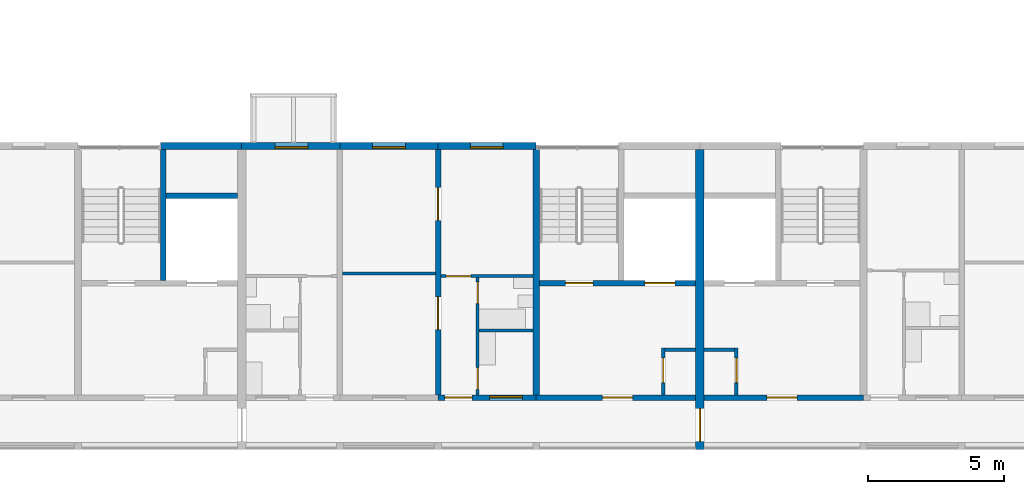
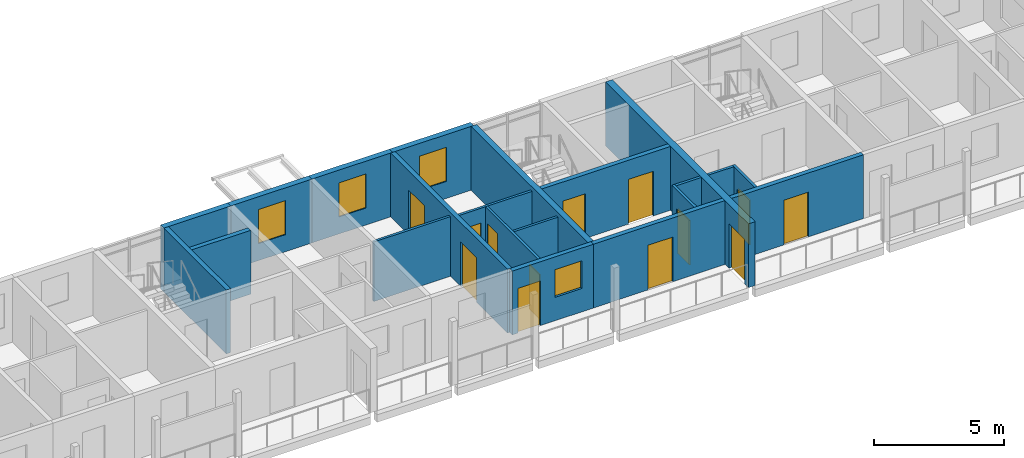
# One storey, part 43 of 87: 21 walls, 13 doors, 4 windows, 17 openings.
"""IFC4 building model written with IfcOpenShell, lengths in metres."""

from ifc_helpers import new_model, si_unit, direction, frame, frame_2d, origin, place, context, subcontext, project, spatial, rectangle, extrude, material, layer, layer_set, type_object, element, fill, save


model = new_model("IFC4")

# Units and contexts
model_context = context("Model", 3, precision=1e-05, world=origin(), true_north=direction((0.0, 1.0)))
body_context = subcontext(model_context, "Body", "Model", "MODEL_VIEW")
ifc_project = project(units=[si_unit("LENGTHUNIT", "METRE"), si_unit("AREAUNIT", "SQUARE_METRE"), si_unit("VOLUMEUNIT", "CUBIC_METRE"), si_unit("PLANEANGLEUNIT", "RADIAN"), si_unit("MASSUNIT", "GRAM", prefix="KILO")], contexts=[model_context])

# Site, building, storey
site_placement = place(None, origin())
site = spatial("IfcSite", under=ifc_project, at=site_placement, CompositionType="ELEMENT")
building_placement = place(site_placement, origin())
building = spatial("IfcBuilding", under=site, at=building_placement, Name="Ridgestep Commons", CompositionType="ELEMENT")
storey_placement = place(building_placement, frame((0.0, 0.0, 27.0)))
storey = spatial("IfcBuildingStorey", under=building, at=storey_placement, Name="L09", CompositionType="ELEMENT", Elevation=27.0)

# Wall
ifc_material_1 = material(Name="Concrete C30/37", Category="concrete")
ifc_layer_1 = layer(ifc_material_1, 0.25)
ifc_layer_set_1 = layer_set([ifc_layer_1], Name="Core cross wall 250")
wall_type_1 = type_object("IfcWallType", Name="Core cross wall 250", PredefinedType="SHEAR", material=ifc_layer_set_1)
wall_1_placement = place(storey_placement, frame((90.0, 13.75, 0.0), z_axis=(0.0, 0.0, 1.0), x_axis=(0.0, 1.0, 0.0)))
element("IfcWall", 1, at=wall_1_placement, inside=storey, type_object=wall_type_1, Name="Cross wall A-09-0900", PredefinedType="SHEAR", context=body_context, shape_type="SweptSolid", body=[
    extrude(rectangle(XDim=9.0, YDim=0.25, at=frame_2d((4.5, 0.0))), origin(), (0.0, 0.0, 1.0), 3.0),
])

# Wall, opening, door
ifc_material_2 = material(Name="Concrete C30/37", Category="concrete")
ifc_layer_2 = layer(ifc_material_2, 0.199951171875)
ifc_layer_set_2 = layer_set([ifc_layer_2], Name="Core south wall 200")
wall_type_2 = type_object("IfcWallType", Name="Core south wall 200", PredefinedType="SHEAR", material=ifc_layer_set_2)
wall_2_placement = place(storey_placement, frame((90.0, 13.64990234375, 0.0), z_axis=(0.0, 0.0, 1.0), x_axis=(1.0, 0.0, 0.0)))
wall_2 = element("IfcWall", 2, at=wall_2_placement, inside=storey, type_object=wall_type_2, Name="Core south wall A5C L09", PredefinedType="SHEAR", context=body_context, shape_type="SweptSolid", body=[
    extrude(rectangle(XDim=5.85009765625, YDim=0.199951171875, at=frame_2d((2.925048828125, 0.0))), origin(), (0.0, 0.0, 1.0), 3.0),
])
opening_1_placement = place(wall_2_placement, frame((2.4375, 0.0, 0.0)))
opening_1 = element("IfcOpeningElement", 3, at=opening_1_placement, cuts=wall_2, Name="Opening A5C/09/1", PredefinedType="OPENING", context=body_context, shape_type="SweptSolid", body=[
    extrude(rectangle(XDim=1.10009765625, YDim=2.10009765625, at=frame_2d((0.550048828125, 1.050048828125))), frame((0.0, 0.10986328125, 0.0), z_axis=(0.0, -1.0, 0.0), x_axis=(1.0, 0.0, 0.0)), (0.0, 0.0, 1.0), 0.219970703125),
])
ifc_material_3 = material(Name="Steel fire door", Category="steel")
door_type_1 = type_object("IfcDoorType", Name="Lobby door 1100 x 2100 FD60", OperationType="NOTDEFINED", PredefinedType="DOOR", material=ifc_material_3)
door_1_placement = place(opening_1_placement, origin())
door_1 = element("IfcDoor", 4, at=door_1_placement, inside=storey, type_object=door_type_1, Name="Lobby door A5C/09/1", OperationType="SINGLE_SWING_LEFT", OverallHeight=2.10009765625, OverallWidth=1.10009765625, PredefinedType="DOOR", context=body_context, shape_type="SweptSolid", body=[
    extrude(rectangle(XDim=1.10009765625, YDim=2.10009765625, at=frame_2d((0.550048828125, 1.050048828125))), frame((0.0, 0.02490234375, 0.0), z_axis=(0.0, -1.0, 0.0), x_axis=(1.0, 0.0, 0.0)), (0.0, 0.0, 1.0), 0.050048828125),
])
fill(opening_1, door_1)

wall_3_placement = place(storey_placement, frame((96.14990234375, 13.64990234375, 0.0), z_axis=(0.0, 0.0, 1.0), x_axis=(1.0, 0.0, 0.0)))
wall_3 = element("IfcWall", 5, at=wall_3_placement, inside=storey, type_object=wall_type_2, Name="Core south wall A6C L09", PredefinedType="SHEAR", context=body_context, shape_type="SweptSolid", body=[
    extrude(rectangle(XDim=5.85009765625, YDim=0.199951171875, at=frame_2d((2.925048828125, 0.0))), origin(), (0.0, 0.0, 1.0), 3.0),
])
opening_2_placement = place(wall_3_placement, frame((2.3125, 0.0, 0.0)))
opening_2 = element("IfcOpeningElement", 6, at=opening_2_placement, cuts=wall_3, Name="Opening A6C/09/1", PredefinedType="OPENING", context=body_context, shape_type="SweptSolid", body=[
    extrude(rectangle(XDim=1.10009765625, YDim=2.10009765625, at=frame_2d((0.550048828125, 1.050048828125))), frame((0.0, 0.10986328125, 0.0), z_axis=(0.0, -1.0, 0.0), x_axis=(1.0, 0.0, 0.0)), (0.0, 0.0, 1.0), 0.219970703125),
])
door_2_placement = place(opening_2_placement, origin())
door_2 = element("IfcDoor", 7, at=door_2_placement, inside=storey, type_object=door_type_1, Name="Lobby door A6C/09/1", OperationType="SINGLE_SWING_LEFT", OverallHeight=2.10009765625, OverallWidth=1.10009765625, PredefinedType="DOOR", context=body_context, shape_type="SweptSolid", body=[
    extrude(rectangle(XDim=1.10009765625, YDim=2.10009765625, at=frame_2d((0.550048828125, 1.050048828125))), frame((0.0, 0.02490234375, 0.0), z_axis=(0.0, -1.0, 0.0), x_axis=(1.0, 0.0, 0.0)), (0.0, 0.0, 1.0), 0.050048828125),
])
fill(opening_2, door_2)

ifc_material_4 = material(Name="Concrete C30/37", Category="concrete")
ifc_layer_3 = layer(ifc_material_4, 0.1201171875)
ifc_layer_set_3 = layer_set([ifc_layer_3], Name="Core wall 120")
wall_type_3 = type_object("IfcWallType", Name="Core wall 120", PredefinedType="SHEAR", material=ifc_layer_set_3)
wall_4_placement = place(storey_placement, frame((94.659912109375, 13.75, 0.0), z_axis=(0.0, 0.0, 1.0), x_axis=(0.0, 1.0, 0.0)))
wall_4 = element("IfcWall", 8, at=wall_4_placement, inside=storey, type_object=wall_type_3, Name="Core riser w wall A5C L09", PredefinedType="SHEAR", context=body_context, shape_type="SweptSolid", body=[
    extrude(rectangle(XDim=1.719970703125, YDim=0.1201171875, at=frame_2d((0.85986328125, 0.0))), origin(), (0.0, 0.0, 1.0), 3.0),
])
opening_3_placement = place(wall_4_placement, frame((0.449951171875, 0.0, 0.0)))
opening_3 = element("IfcOpeningElement", 9, at=opening_3_placement, cuts=wall_4, Name="Opening A5C/09/4", PredefinedType="OPENING", context=body_context, shape_type="SweptSolid", body=[
    extrude(rectangle(XDim=0.89990234375, YDim=2.10009765625, at=frame_2d((0.449951171875, 1.050048828125))), frame((0.0, 0.070068359375, 0.0), z_axis=(0.0, -1.0, 0.0), x_axis=(1.0, 0.0, 0.0)), (0.0, 0.0, 1.0), 0.14013671875),
])
ifc_material_5 = material(Name="Steel fire door", Category="steel")
door_type_2 = type_object("IfcDoorType", Name="Riser door 900 x 2100 FD60", OperationType="NOTDEFINED", PredefinedType="DOOR", material=ifc_material_5)
door_3_placement = place(opening_3_placement, origin())
door_3 = element("IfcDoor", 10, at=door_3_placement, inside=storey, type_object=door_type_2, Name="Riser door A5C/09/4", OperationType="SINGLE_SWING_LEFT", OverallHeight=2.10009765625, OverallWidth=0.89990234375, PredefinedType="DOOR", context=body_context, shape_type="SweptSolid", body=[
    extrude(rectangle(XDim=0.89990234375, YDim=2.10009765625, at=frame_2d((0.449951171875, 1.050048828125))), frame((0.0, 0.02490234375, 0.0), z_axis=(0.0, -1.0, 0.0), x_axis=(1.0, 0.0, 0.0)), (0.0, 0.0, 1.0), 0.050048828125),
])
fill(opening_3, door_3)

# Wall
wall_5_placement = place(storey_placement, frame((94.719970703125, 15.409912109375, 0.0), z_axis=(0.0, 0.0, 1.0), x_axis=(1.0, 0.0, 0.0)))
element("IfcWall", 11, at=wall_5_placement, inside=storey, type_object=wall_type_3, Name="Core riser n wall A5C L09", PredefinedType="SHEAR", context=body_context, shape_type="SweptSolid", body=[
    extrude(rectangle(XDim=1.130126953125, YDim=0.1201171875, at=frame_2d((0.56494140625, 0.0))), origin(), (0.0, 0.0, 1.0), 3.0),
])

# Wall, opening, door
wall_6_placement = place(storey_placement, frame((97.340087890625, 13.75, 0.0), z_axis=(0.0, 0.0, 1.0), x_axis=(0.0, 1.0, 0.0)))
wall_6 = element("IfcWall", 12, at=wall_6_placement, inside=storey, type_object=wall_type_3, Name="Core riser w wall A6C L09", PredefinedType="SHEAR", context=body_context, shape_type="SweptSolid", body=[
    extrude(rectangle(XDim=1.719970703125, YDim=0.1201171875, at=frame_2d((0.85986328125, 0.0))), origin(), (0.0, 0.0, 1.0), 3.0),
])
opening_4_placement = place(wall_6_placement, frame((0.449951171875, 0.0, 0.0)))
opening_4 = element("IfcOpeningElement", 13, at=opening_4_placement, cuts=wall_6, Name="Opening A6C/09/4", PredefinedType="OPENING", context=body_context, shape_type="SweptSolid", body=[
    extrude(rectangle(XDim=0.89990234375, YDim=2.10009765625, at=frame_2d((0.449951171875, 1.050048828125))), frame((0.0, 0.070068359375, 0.0), z_axis=(0.0, -1.0, 0.0), x_axis=(1.0, 0.0, 0.0)), (0.0, 0.0, 1.0), 0.14013671875),
])
door_4_placement = place(opening_4_placement, origin())
door_4 = element("IfcDoor", 14, at=door_4_placement, inside=storey, type_object=door_type_2, Name="Riser door A6C/09/4", OperationType="SINGLE_SWING_RIGHT", OverallHeight=2.10009765625, OverallWidth=0.89990234375, PredefinedType="DOOR", context=body_context, shape_type="SweptSolid", body=[
    extrude(rectangle(XDim=0.89990234375, YDim=2.10009765625, at=frame_2d((0.449951171875, 1.050048828125))), frame((0.0, 0.02490234375, 0.0), z_axis=(0.0, -1.0, 0.0), x_axis=(1.0, 0.0, 0.0)), (0.0, 0.0, 1.0), 0.050048828125),
])
fill(opening_4, door_4)

# Walls
wall_7_placement = place(storey_placement, frame((96.14990234375, 15.409912109375, 0.0), z_axis=(0.0, 0.0, 1.0), x_axis=(1.0, 0.0, 0.0)))
element("IfcWall", 15, at=wall_7_placement, inside=storey, type_object=wall_type_3, Name="Core riser n wall A6C L09", PredefinedType="SHEAR", context=body_context, shape_type="SweptSolid", body=[
    extrude(rectangle(XDim=1.130126953125, YDim=0.1201171875, at=frame_2d((0.56494140625, 0.0))), origin(), (0.0, 0.0, 1.0), 3.0),
])
ifc_material_6 = material(Name="Concrete C30/37", Category="concrete")
ifc_layer_4 = layer(ifc_material_6, 0.199951171875)
ifc_layer_set_4 = layer_set([ifc_layer_4], Name="Core wall 200")
wall_type_4 = type_object("IfcWallType", Name="Core wall 200", PredefinedType="SHEAR", material=ifc_layer_set_4)
wall_8_placement = place(storey_placement, frame((76.324951171875, 17.949951171875, 0.0), z_axis=(0.0, 0.0, 1.0), x_axis=(0.0, 1.0, 0.0)))
element("IfcWall", 16, at=wall_8_placement, inside=storey, type_object=wall_type_4, Name="Core stair wall A4C L09", PredefinedType="SHEAR", context=body_context, shape_type="SweptSolid", body=[
    extrude(rectangle(XDim=4.800048828125, YDim=0.199951171875, at=frame_2d((2.39990234375, 0.0))), origin(), (0.0, 0.0, 1.0), 3.0),
])
wall_9_placement = place(storey_placement, frame((76.425048828125, 21.050048828125, 0.0), z_axis=(0.0, 0.0, 1.0), x_axis=(1.0, 0.0, 0.0)))
element("IfcWall", 17, at=wall_9_placement, inside=storey, type_object=wall_type_4, Name="Core duct wall A4C L09", PredefinedType="SHEAR", context=body_context, shape_type="SweptSolid", body=[
    extrude(rectangle(XDim=2.625, YDim=0.199951171875, at=frame_2d((1.3125, 0.0))), origin(), (0.0, 0.0, 1.0), 3.0),
])

# Wall, openings, doors
wall_10_placement = place(storey_placement, frame((90.125, 17.85009765625, 0.0), z_axis=(0.0, 0.0, 1.0), x_axis=(1.0, 0.0, 0.0)))
wall_10 = element("IfcWall", 18, at=wall_10_placement, inside=storey, type_object=wall_type_4, Name="Core lobby wall A5C L09", PredefinedType="SHEAR", context=body_context, shape_type="SweptSolid", body=[
    extrude(rectangle(XDim=5.72509765625, YDim=0.199951171875, at=frame_2d((2.862548828125, 0.0))), origin(), (0.0, 0.0, 1.0), 3.0),
])
opening_5_placement = place(wall_10_placement, frame((0.949951171875, 0.0, 0.0)))
opening_5 = element("IfcOpeningElement", 19, at=opening_5_placement, cuts=wall_10, Name="Opening A5C/09/2", PredefinedType="OPENING", context=body_context, shape_type="SweptSolid", body=[
    extrude(rectangle(XDim=1.0, YDim=2.10009765625, at=frame_2d((0.5, 1.050048828125))), frame((0.0, 0.10986328125, 0.0), z_axis=(0.0, -1.0, 0.0), x_axis=(1.0, 0.0, 0.0)), (0.0, 0.0, 1.0), 0.219970703125),
])
opening_6_placement = place(wall_10_placement, frame((3.862548828125, 0.0, 0.0)))
opening_6 = element("IfcOpeningElement", 20, at=opening_6_placement, cuts=wall_10, Name="Opening A5C/09/3", PredefinedType="OPENING", context=body_context, shape_type="SweptSolid", body=[
    extrude(rectangle(XDim=1.10009765625, YDim=2.10009765625, at=frame_2d((0.550048828125, 1.050048828125))), frame((0.0, 0.10986328125, 0.0), z_axis=(0.0, -1.0, 0.0), x_axis=(1.0, 0.0, 0.0)), (0.0, 0.0, 1.0), 0.219970703125),
])
ifc_material_7 = material(Name="Stainless steel", Category="steel")
door_type_3 = type_object("IfcDoorType", Name="Lift landing door 1100 x 2100 FD60", OperationType="DOUBLE_DOOR_SLIDING", PredefinedType="DOOR", material=ifc_material_7)
door_5_placement = place(opening_6_placement, origin())
door_5 = element("IfcDoor", 21, at=door_5_placement, inside=storey, type_object=door_type_3, Name="Landing door LD A5C L09", OperationType="DOUBLE_DOOR_SLIDING", OverallHeight=2.10009765625, OverallWidth=1.10009765625, PredefinedType="DOOR", context=body_context, shape_type="SweptSolid", body=[
    extrude(rectangle(XDim=1.10009765625, YDim=2.10009765625, at=frame_2d((0.550048828125, 1.050048828125))), frame((0.0, 0.02490234375, 0.0), z_axis=(0.0, -1.0, 0.0), x_axis=(1.0, 0.0, 0.0)), (0.0, 0.0, 1.0), 0.050048828125),
])
fill(opening_6, door_5)
ifc_material_8 = material(Name="Steel fire door", Category="steel")
door_type_4 = type_object("IfcDoorType", Name="Stair door 1000 x 2100 FD60", OperationType="NOTDEFINED", PredefinedType="DOOR", material=ifc_material_8)
door_6_placement = place(opening_5_placement, origin())
door_6 = element("IfcDoor", 22, at=door_6_placement, inside=storey, type_object=door_type_4, Name="Stair door A5C/09/2", OperationType="SINGLE_SWING_RIGHT", OverallHeight=2.10009765625, OverallWidth=1.0, PredefinedType="DOOR", context=body_context, shape_type="SweptSolid", body=[
    extrude(rectangle(XDim=1.0, YDim=2.10009765625, at=frame_2d((0.5, 1.050048828125))), frame((0.0, 0.02490234375, 0.0), z_axis=(0.0, -1.0, 0.0), x_axis=(1.0, 0.0, 0.0)), (0.0, 0.0, 1.0), 0.050048828125),
])
fill(opening_5, door_6)

ifc_material_9 = material(Name="Precast concrete C40/50", Category="concrete")
ifc_layer_5 = layer(ifc_material_9, 0.199951171875)
ifc_layer_set_5 = layer_set([ifc_layer_5], Name="Cross wall 200")
wall_type_5 = type_object("IfcWallType", Name="Cross wall 200", PredefinedType="SHEAR", material=ifc_layer_set_5)
wall_11_placement = place(storey_placement, frame((86.39990234375, 13.75, 0.0), z_axis=(0.0, 0.0, 1.0), x_axis=(0.0, 1.0, 0.0)))
wall_11 = element("IfcWall", 23, at=wall_11_placement, inside=storey, type_object=wall_type_5, Name="Cross wall A-09-0864", PredefinedType="SHEAR", context=body_context, shape_type="SweptSolid", body=[
    extrude(rectangle(XDim=9.0, YDim=0.199951171875, at=frame_2d((4.5, 0.0))), origin(), (0.0, 0.0, 1.0), 3.0),
])
opening_7_placement = place(wall_11_placement, frame((2.39990234375, 0.0, 0.0)))
opening_7 = element("IfcOpeningElement", 24, at=opening_7_placement, cuts=wall_11, Name="Opening A5-09b/5", PredefinedType="OPENING", context=body_context, shape_type="SweptSolid", body=[
    extrude(rectangle(XDim=1.199951171875, YDim=2.10009765625, at=frame_2d((0.60009765625, 1.050048828125))), frame((0.0, 0.10986328125, 0.0), z_axis=(0.0, -1.0, 0.0), x_axis=(1.0, 0.0, 0.0)), (0.0, 0.0, 1.0), 0.219970703125),
])
opening_8_placement = place(wall_11_placement, frame((6.39990234375, 0.0, 0.0)))
opening_8 = element("IfcOpeningElement", 25, at=opening_8_placement, cuts=wall_11, Name="Opening A5-09b/6", PredefinedType="OPENING", context=body_context, shape_type="SweptSolid", body=[
    extrude(rectangle(XDim=1.199951171875, YDim=2.10009765625, at=frame_2d((0.60009765625, 1.050048828125))), frame((0.0, 0.10986328125, 0.0), z_axis=(0.0, -1.0, 0.0), x_axis=(1.0, 0.0, 0.0)), (0.0, 0.0, 1.0), 0.219970703125),
])
ifc_material_10 = material(Name="Timber door leaf", Category="wood")
door_type_5 = type_object("IfcDoorType", Name="Double door 1200 x 2100", OperationType="DOUBLE_DOOR_SINGLE_SWING", PredefinedType="DOOR", material=ifc_material_10)
door_7_placement = place(opening_7_placement, origin())
door_7 = element("IfcDoor", 26, at=door_7_placement, inside=storey, type_object=door_type_5, Name="Double door A5-09b/5", OperationType="DOUBLE_DOOR_SINGLE_SWING", OverallHeight=2.10009765625, OverallWidth=1.199951171875, PredefinedType="DOOR", context=body_context, shape_type="SweptSolid", body=[
    extrude(rectangle(XDim=1.199951171875, YDim=2.10009765625, at=frame_2d((0.60009765625, 1.050048828125))), frame((0.0, 0.02490234375, 0.0), z_axis=(0.0, -1.0, 0.0), x_axis=(1.0, 0.0, 0.0)), (0.0, 0.0, 1.0), 0.050048828125),
])
fill(opening_7, door_7)
door_8_placement = place(opening_8_placement, origin())
door_8 = element("IfcDoor", 27, at=door_8_placement, inside=storey, type_object=door_type_5, Name="Double door A5-09b/6", OperationType="DOUBLE_DOOR_SINGLE_SWING", OverallHeight=2.10009765625, OverallWidth=1.199951171875, PredefinedType="DOOR", context=body_context, shape_type="SweptSolid", body=[
    extrude(rectangle(XDim=1.199951171875, YDim=2.10009765625, at=frame_2d((0.60009765625, 1.050048828125))), frame((0.0, 0.02490234375, 0.0), z_axis=(0.0, -1.0, 0.0), x_axis=(1.0, 0.0, 0.0)), (0.0, 0.0, 1.0), 0.050048828125),
])
fill(opening_8, door_8)

# Wall, opening, door
ifc_material_11 = material(Name="Precast concrete C40/50", Category="concrete")
ifc_layer_6 = layer(ifc_material_11, 0.300048828125)
ifc_layer_set_6 = layer_set([ifc_layer_6], Name="Division wall 300")
wall_type_6 = type_object("IfcWallType", Name="Division wall 300", PredefinedType="SHEAR", material=ifc_layer_set_6)
wall_12_placement = place(storey_placement, frame((96.0, 11.75, 0.0), z_axis=(0.0, 0.0, 1.0), x_axis=(0.0, 1.0, 0.0)))
wall_12 = element("IfcWall", 28, at=wall_12_placement, inside=storey, type_object=wall_type_6, Name="Cross wall A-09-0960", PredefinedType="SHEAR", context=body_context, shape_type="SweptSolid", body=[
    extrude(rectangle(XDim=11.0, YDim=0.300048828125, at=frame_2d((5.5, 0.0))), origin(), (0.0, 0.0, 1.0), 3.0),
])
opening_9_placement = place(wall_12_placement, frame((0.300048828125, 0.0, 0.0)))
opening_9 = element("IfcOpeningElement", 29, at=opening_9_placement, cuts=wall_12, Name="Opening A/09/G0960", PredefinedType="OPENING", context=body_context, shape_type="SweptSolid", body=[
    extrude(rectangle(XDim=1.199951171875, YDim=2.10009765625, at=frame_2d((0.60009765625, 1.050048828125))), frame((0.0, 0.159912109375, 0.0), z_axis=(0.0, -1.0, 0.0), x_axis=(1.0, 0.0, 0.0)), (0.0, 0.0, 1.0), 0.320068359375),
])
ifc_material_12 = material(Name="Steel fire door", Category="steel")
door_type_6 = type_object("IfcDoorType", Name="Division fire door 1200 x 2100 EI 240", OperationType="DOUBLE_DOOR_SINGLE_SWING", PredefinedType="DOOR", material=ifc_material_12)
door_9_placement = place(opening_9_placement, origin())
door_9 = element("IfcDoor", 30, at=door_9_placement, inside=storey, type_object=door_type_6, Name="Division fire door A/09/G0960", OperationType="DOUBLE_DOOR_SINGLE_SWING", OverallHeight=2.10009765625, OverallWidth=1.199951171875, PredefinedType="DOOR", context=body_context, shape_type="SweptSolid", body=[
    extrude(rectangle(XDim=1.199951171875, YDim=2.10009765625, at=frame_2d((0.60009765625, 1.050048828125))), frame((0.0, 0.02490234375, 0.0), z_axis=(0.0, -1.0, 0.0), x_axis=(1.0, 0.0, 0.0)), (0.0, 0.0, 1.0), 0.050048828125),
])
fill(opening_9, door_9)

# Wall
ifc_material_13 = material(Name="Precast concrete C40/50", Category="concrete")
ifc_layer_7 = layer(ifc_material_13, 0.25)
ifc_layer_set_7 = layer_set([ifc_layer_7], Name="North facade panel 250")
wall_type_7 = type_object("IfcWallType", Name="North facade panel 250", PredefinedType="SOLIDWALL", material=ifc_layer_set_7)
wall_13_placement = place(storey_placement, frame((76.22509765625, 22.875, 0.0), z_axis=(0.0, 0.0, 1.0), x_axis=(1.0, 0.0, 0.0)))
element("IfcWall", 31, at=wall_13_placement, inside=storey, type_object=wall_type_7, Name="North panel A4C L09", PredefinedType="SOLIDWALL", context=body_context, shape_type="SweptSolid", body=[
    extrude(rectangle(XDim=2.974853515625, YDim=0.25, at=frame_2d((1.4873046875, 0.0))), origin(), (0.0, 0.0, 1.0), 3.0),
])

# Wall, opening, window
wall_14_placement = place(storey_placement, frame((79.199951171875, 22.875, 0.0), z_axis=(0.0, 0.0, 1.0), x_axis=(1.0, 0.0, 0.0)))
wall_14 = element("IfcWall", 32, at=wall_14_placement, inside=storey, type_object=wall_type_7, Name="North panel A5T1 L09", PredefinedType="SOLIDWALL", context=body_context, shape_type="SweptSolid", body=[
    extrude(rectangle(XDim=3.60009765625, YDim=0.25, at=frame_2d((1.800048828125, 0.0))), origin(), (0.0, 0.0, 1.0), 3.0),
])
opening_10_placement = place(wall_14_placement, frame((1.22509765625, 0.0, 0.800048828125)))
opening_10 = element("IfcOpeningElement", 33, at=opening_10_placement, cuts=wall_14, Name="Opening W11", PredefinedType="OPENING", context=body_context, shape_type="SweptSolid", body=[
    extrude(rectangle(XDim=1.199951171875, YDim=1.60009765625, at=frame_2d((0.60009765625, 0.800048828125))), frame((0.0, 0.135009765625, 0.0), z_axis=(0.0, -1.0, 0.0), x_axis=(1.0, 0.0, 0.0)), (0.0, 0.0, 1.0), 0.27001953125),
])
ifc_material_14 = material(Name="Aluminium 6063-T6 and glass", Category="aluminium")
window_type_1 = type_object("IfcWindowType", Name="Flat window 1200 x 1600", PartitioningType="SINGLE_PANEL", PredefinedType="WINDOW", material=ifc_material_14)
window_1_placement = place(opening_10_placement, origin())
window_1 = element("IfcWindow", 34, at=window_1_placement, inside=storey, type_object=window_type_1, Name="Window A5-09a 2", OverallHeight=1.60009765625, OverallWidth=1.199951171875, PartitioningType="SINGLE_PANEL", PredefinedType="WINDOW", context=body_context, shape_type="SweptSolid", body=[
    extrude(rectangle(XDim=1.199951171875, YDim=1.60009765625, at=frame_2d((0.60009765625, 0.800048828125))), frame((0.0, -0.02490234375, 0.0), z_axis=(0.0, -1.0, 0.0), x_axis=(1.0, 0.0, 0.0)), (0.0, 0.0, 1.0), 0.06005859375),
])
fill(opening_10, window_1)

wall_15_placement = place(storey_placement, frame((82.800048828125, 22.875, 0.0), z_axis=(0.0, 0.0, 1.0), x_axis=(1.0, 0.0, 0.0)))
wall_15 = element("IfcWall", 35, at=wall_15_placement, inside=storey, type_object=wall_type_7, Name="North panel A5T2 L09", PredefinedType="SOLIDWALL", context=body_context, shape_type="SweptSolid", body=[
    extrude(rectangle(XDim=3.599853515625, YDim=0.25, at=frame_2d((1.7998046875, 0.0))), origin(), (0.0, 0.0, 1.0), 3.0),
])
opening_11_placement = place(wall_15_placement, frame((1.199951171875, 0.0, 0.800048828125)))
opening_11 = element("IfcOpeningElement", 36, at=opening_11_placement, cuts=wall_15, Name="Opening W11", PredefinedType="OPENING", context=body_context, shape_type="SweptSolid", body=[
    extrude(rectangle(XDim=1.199951171875, YDim=1.60009765625, at=frame_2d((0.60009765625, 0.800048828125))), frame((0.0, 0.135009765625, 0.0), z_axis=(0.0, -1.0, 0.0), x_axis=(1.0, 0.0, 0.0)), (0.0, 0.0, 1.0), 0.27001953125),
])
window_2_placement = place(opening_11_placement, origin())
window_2 = element("IfcWindow", 37, at=window_2_placement, inside=storey, type_object=window_type_1, Name="Window A5-09b 2", OverallHeight=1.60009765625, OverallWidth=1.199951171875, PartitioningType="SINGLE_PANEL", PredefinedType="WINDOW", context=body_context, shape_type="SweptSolid", body=[
    extrude(rectangle(XDim=1.199951171875, YDim=1.60009765625, at=frame_2d((0.60009765625, 0.800048828125))), frame((0.0, -0.02490234375, 0.0), z_axis=(0.0, -1.0, 0.0), x_axis=(1.0, 0.0, 0.0)), (0.0, 0.0, 1.0), 0.06005859375),
])
fill(opening_11, window_2)

wall_16_placement = place(storey_placement, frame((86.39990234375, 22.875, 0.0), z_axis=(0.0, 0.0, 1.0), x_axis=(1.0, 0.0, 0.0)))
wall_16 = element("IfcWall", 38, at=wall_16_placement, inside=storey, type_object=wall_type_7, Name="North panel A5T3 L09", PredefinedType="SOLIDWALL", context=body_context, shape_type="SweptSolid", body=[
    extrude(rectangle(XDim=3.60009765625, YDim=0.25, at=frame_2d((1.800048828125, 0.0))), origin(), (0.0, 0.0, 1.0), 3.0),
])
opening_12_placement = place(wall_16_placement, frame((1.1875, 0.0, 0.800048828125)))
opening_12 = element("IfcOpeningElement", 39, at=opening_12_placement, cuts=wall_16, Name="Opening W11", PredefinedType="OPENING", context=body_context, shape_type="SweptSolid", body=[
    extrude(rectangle(XDim=1.199951171875, YDim=1.60009765625, at=frame_2d((0.60009765625, 0.800048828125))), frame((0.0, 0.135009765625, 0.0), z_axis=(0.0, -1.0, 0.0), x_axis=(1.0, 0.0, 0.0)), (0.0, 0.0, 1.0), 0.27001953125),
])
window_3_placement = place(opening_12_placement, origin())
window_3 = element("IfcWindow", 40, at=window_3_placement, inside=storey, type_object=window_type_1, Name="Window A5-09b 4", OverallHeight=1.60009765625, OverallWidth=1.199951171875, PartitioningType="SINGLE_PANEL", PredefinedType="WINDOW", context=body_context, shape_type="SweptSolid", body=[
    extrude(rectangle(XDim=1.199951171875, YDim=1.60009765625, at=frame_2d((0.60009765625, 0.800048828125))), frame((0.0, -0.02490234375, 0.0), z_axis=(0.0, -1.0, 0.0), x_axis=(1.0, 0.0, 0.0)), (0.0, 0.0, 1.0), 0.06005859375),
])
fill(opening_12, window_3)

# Wall, openings, doors
ifc_material_15 = material(Name="Common brick 110 mm", Category="masonry")
ifc_layer_8 = layer(ifc_material_15, 0.110107421875)
ifc_layer_set_8 = layer_set([ifc_layer_8], Name="Partition 110")
wall_type_8 = type_object("IfcWallType", Name="Partition 110", PredefinedType="PARTITIONING", material=ifc_layer_set_8)
wall_17_placement = place(storey_placement, frame((87.85498046875, 13.75, 0.0), z_axis=(0.0, 0.0, 1.0), x_axis=(0.0, 1.0, 0.0)))
wall_17 = element("IfcWall", 41, at=wall_17_placement, inside=storey, type_object=wall_type_8, Name="Partition A5-09b", PredefinedType="PARTITIONING", context=body_context, shape_type="SweptSolid", body=[
    extrude(rectangle(XDim=4.300048828125, YDim=0.110107421875, at=frame_2d((2.14990234375, 0.0))), origin(), (0.0, 0.0, 1.0), 2.800048828125),
])
opening_13_placement = place(wall_17_placement, frame((0.199951171875, 0.0, 0.0)))
opening_13 = element("IfcOpeningElement", 42, at=opening_13_placement, cuts=wall_17, Name="Opening A5-09b/2", PredefinedType="OPENING", context=body_context, shape_type="SweptSolid", body=[
    extrude(rectangle(XDim=0.800048828125, YDim=2.10009765625, at=frame_2d((0.39990234375, 1.050048828125))), frame((0.0, 0.06494140625, 0.0), z_axis=(0.0, -1.0, 0.0), x_axis=(1.0, 0.0, 0.0)), (0.0, 0.0, 1.0), 0.130126953125),
])
opening_14_placement = place(wall_17_placement, frame((3.35009765625, 0.0, 0.0)))
opening_14 = element("IfcOpeningElement", 43, at=opening_14_placement, cuts=wall_17, Name="Opening A5-09b/3", PredefinedType="OPENING", context=body_context, shape_type="SweptSolid", body=[
    extrude(rectangle(XDim=0.800048828125, YDim=2.10009765625, at=frame_2d((0.39990234375, 1.050048828125))), frame((0.0, 0.06494140625, 0.0), z_axis=(0.0, -1.0, 0.0), x_axis=(1.0, 0.0, 0.0)), (0.0, 0.0, 1.0), 0.130126953125),
])
ifc_material_16 = material(Name="Timber door leaf", Category="wood")
door_type_7 = type_object("IfcDoorType", Name="Internal door 800 x 2100", OperationType="NOTDEFINED", PredefinedType="DOOR", material=ifc_material_16)
door_10_placement = place(opening_13_placement, origin())
door_10 = element("IfcDoor", 44, at=door_10_placement, inside=storey, type_object=door_type_7, Name="Internal door A5-09b/2", OperationType="SINGLE_SWING_RIGHT", OverallHeight=2.10009765625, OverallWidth=0.800048828125, PredefinedType="DOOR", context=body_context, shape_type="SweptSolid", body=[
    extrude(rectangle(XDim=0.800048828125, YDim=2.10009765625, at=frame_2d((0.39990234375, 1.050048828125))), frame((0.0, 0.02490234375, 0.0), z_axis=(0.0, -1.0, 0.0), x_axis=(1.0, 0.0, 0.0)), (0.0, 0.0, 1.0), 0.050048828125),
])
fill(opening_13, door_10)
door_11_placement = place(opening_14_placement, origin())
door_11 = element("IfcDoor", 45, at=door_11_placement, inside=storey, type_object=door_type_7, Name="Internal door A5-09b/3", OperationType="SINGLE_SWING_LEFT", OverallHeight=2.10009765625, OverallWidth=0.800048828125, PredefinedType="DOOR", context=body_context, shape_type="SweptSolid", body=[
    extrude(rectangle(XDim=0.800048828125, YDim=2.10009765625, at=frame_2d((0.39990234375, 1.050048828125))), frame((0.0, 0.02490234375, 0.0), z_axis=(0.0, -1.0, 0.0), x_axis=(1.0, 0.0, 0.0)), (0.0, 0.0, 1.0), 0.050048828125),
])
fill(opening_14, door_11)

# Wall
wall_18_placement = place(storey_placement, frame((87.909912109375, 16.10498046875, 0.0), z_axis=(0.0, 0.0, 1.0), x_axis=(1.0, 0.0, 0.0)))
element("IfcWall", 46, at=wall_18_placement, inside=storey, type_object=wall_type_8, Name="Partition A5-09b", PredefinedType="PARTITIONING", context=body_context, shape_type="SweptSolid", body=[
    extrude(rectangle(XDim=1.965087890625, YDim=0.110107421875, at=frame_2d((0.982421875, 0.0))), origin(), (0.0, 0.0, 1.0), 2.800048828125),
])

# Wall, opening, door
wall_19_placement = place(storey_placement, frame((86.5, 18.10498046875, 0.0), z_axis=(0.0, 0.0, 1.0), x_axis=(1.0, 0.0, 0.0)))
wall_19 = element("IfcWall", 47, at=wall_19_placement, inside=storey, type_object=wall_type_8, Name="Partition A5-09b", PredefinedType="PARTITIONING", context=body_context, shape_type="SweptSolid", body=[
    extrude(rectangle(XDim=3.375, YDim=0.110107421875, at=frame_2d((1.6875, 0.0))), origin(), (0.0, 0.0, 1.0), 2.800048828125),
])
opening_15_placement = place(wall_19_placement, frame((0.199951171875, 0.0, 0.0)))
opening_15 = element("IfcOpeningElement", 48, at=opening_15_placement, cuts=wall_19, Name="Opening A5-09b/4", PredefinedType="OPENING", context=body_context, shape_type="SweptSolid", body=[
    extrude(rectangle(XDim=0.89990234375, YDim=2.10009765625, at=frame_2d((0.449951171875, 1.050048828125))), frame((0.0, 0.06494140625, 0.0), z_axis=(0.0, -1.0, 0.0), x_axis=(1.0, 0.0, 0.0)), (0.0, 0.0, 1.0), 0.130126953125),
])
ifc_material_17 = material(Name="Timber door leaf", Category="wood")
door_type_8 = type_object("IfcDoorType", Name="Internal door 900 x 2100", OperationType="NOTDEFINED", PredefinedType="DOOR", material=ifc_material_17)
door_12_placement = place(opening_15_placement, origin())
door_12 = element("IfcDoor", 49, at=door_12_placement, inside=storey, type_object=door_type_8, Name="Internal door A5-09b/4", OperationType="SINGLE_SWING_RIGHT", OverallHeight=2.10009765625, OverallWidth=0.89990234375, PredefinedType="DOOR", context=body_context, shape_type="SweptSolid", body=[
    extrude(rectangle(XDim=0.89990234375, YDim=2.10009765625, at=frame_2d((0.449951171875, 1.050048828125))), frame((0.0, 0.02490234375, 0.0), z_axis=(0.0, -1.0, 0.0), x_axis=(1.0, 0.0, 0.0)), (0.0, 0.0, 1.0), 0.050048828125),
])
fill(opening_15, door_12)

# Wall
wall_20_placement = place(storey_placement, frame((82.89990234375, 18.205078125, 0.0), z_axis=(0.0, 0.0, 1.0), x_axis=(1.0, 0.0, 0.0)))
element("IfcWall", 50, at=wall_20_placement, inside=storey, type_object=wall_type_8, Name="Partition A5-09b", PredefinedType="PARTITIONING", context=body_context, shape_type="SweptSolid", body=[
    extrude(rectangle(XDim=3.400146484375, YDim=0.110107421875, at=frame_2d((1.7001953125, 0.0))), origin(), (0.0, 0.0, 1.0), 2.800048828125),
])

# Wall, openings, door, window
ifc_material_18 = material(Name="Precast concrete C40/50", Category="concrete")
ifc_layer_9 = layer(ifc_material_18, 0.199951171875)
ifc_layer_set_9 = layer_set([ifc_layer_9], Name="South facade panel 200")
wall_type_9 = type_object("IfcWallType", Name="South facade panel 200", PredefinedType="SOLIDWALL", material=ifc_layer_set_9)
wall_21_placement = place(storey_placement, frame((86.39990234375, 13.64990234375, 0.0), z_axis=(0.0, 0.0, 1.0), x_axis=(1.0, 0.0, 0.0)))
wall_21 = element("IfcWall", 51, at=wall_21_placement, inside=storey, type_object=wall_type_9, Name="South panel A5T3 L09", PredefinedType="SOLIDWALL", context=body_context, shape_type="SweptSolid", body=[
    extrude(rectangle(XDim=3.60009765625, YDim=0.199951171875, at=frame_2d((1.800048828125, 0.0))), origin(), (0.0, 0.0, 1.0), 3.0),
])
opening_16_placement = place(wall_21_placement, frame((1.892578125, 0.0, 1.10009765625)))
opening_16 = element("IfcOpeningElement", 52, at=opening_16_placement, cuts=wall_21, Name="Opening W08", PredefinedType="OPENING", context=body_context, shape_type="SweptSolid", body=[
    extrude(rectangle(XDim=1.199951171875, YDim=1.300048828125, at=frame_2d((0.60009765625, 0.64990234375))), frame((0.0, 0.10986328125, 0.0), z_axis=(0.0, -1.0, 0.0), x_axis=(1.0, 0.0, 0.0)), (0.0, 0.0, 1.0), 0.219970703125),
])
opening_17_placement = place(wall_21_placement, frame((0.25, 0.0, 0.0)))
opening_17 = element("IfcOpeningElement", 53, at=opening_17_placement, cuts=wall_21, Name="Opening A5-09b/1", PredefinedType="OPENING", context=body_context, shape_type="SweptSolid", body=[
    extrude(rectangle(XDim=1.0, YDim=2.10009765625, at=frame_2d((0.5, 1.050048828125))), frame((0.0, 0.10986328125, 0.0), z_axis=(0.0, -1.0, 0.0), x_axis=(1.0, 0.0, 0.0)), (0.0, 0.0, 1.0), 0.219970703125),
])
ifc_material_19 = material(Name="Timber door leaf", Category="wood")
door_type_9 = type_object("IfcDoorType", Name="Flat entrance door 1000 x 2100 FD30S", OperationType="NOTDEFINED", PredefinedType="DOOR", material=ifc_material_19)
door_13_placement = place(opening_17_placement, origin())
door_13 = element("IfcDoor", 54, at=door_13_placement, inside=storey, type_object=door_type_9, Name="Flat entrance door A5-09b/1", OperationType="SINGLE_SWING_LEFT", OverallHeight=2.10009765625, OverallWidth=1.0, PredefinedType="DOOR", context=body_context, shape_type="SweptSolid", body=[
    extrude(rectangle(XDim=1.0, YDim=2.10009765625, at=frame_2d((0.5, 1.050048828125))), frame((0.0, 0.02490234375, 0.0), z_axis=(0.0, -1.0, 0.0), x_axis=(1.0, 0.0, 0.0)), (0.0, 0.0, 1.0), 0.050048828125),
])
fill(opening_17, door_13)
ifc_material_20 = material(Name="Aluminium 6063-T6 and glass", Category="aluminium")
window_type_2 = type_object("IfcWindowType", Name="Flat window 1200 x 1300", PartitioningType="SINGLE_PANEL", PredefinedType="WINDOW", material=ifc_material_20)
window_4_placement = place(opening_16_placement, origin())
window_4 = element("IfcWindow", 55, at=window_4_placement, inside=storey, type_object=window_type_2, Name="Window A5-09b 3", OverallHeight=1.300048828125, OverallWidth=1.199951171875, PartitioningType="SINGLE_PANEL", PredefinedType="WINDOW", context=body_context, shape_type="SweptSolid", body=[
    extrude(rectangle(XDim=1.199951171875, YDim=1.300048828125, at=frame_2d((0.60009765625, 0.64990234375))), frame((0.0, 0.06005859375, 0.0), z_axis=(0.0, -1.0, 0.0), x_axis=(1.0, 0.0, 0.0)), (0.0, 0.0, 1.0), 0.06005859375),
])
fill(opening_16, window_4)

save(model, "model.ifc")
